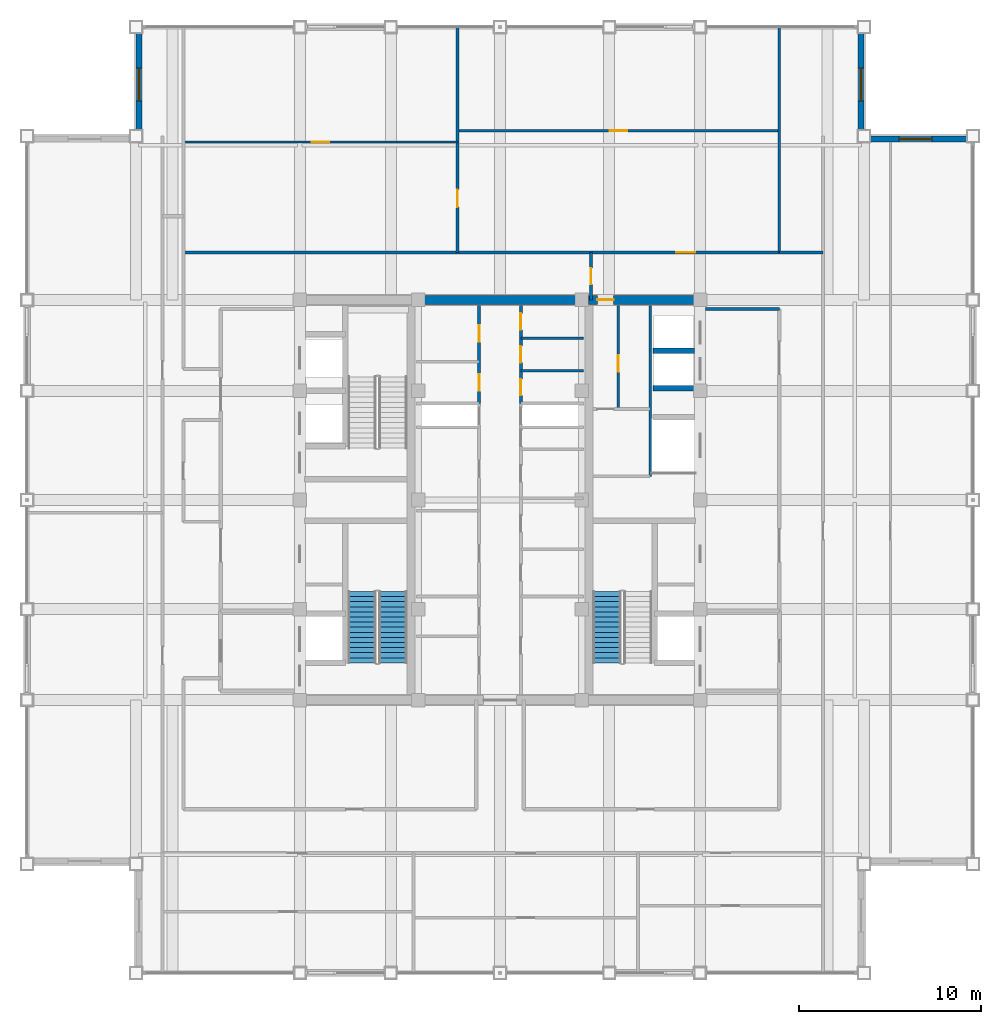
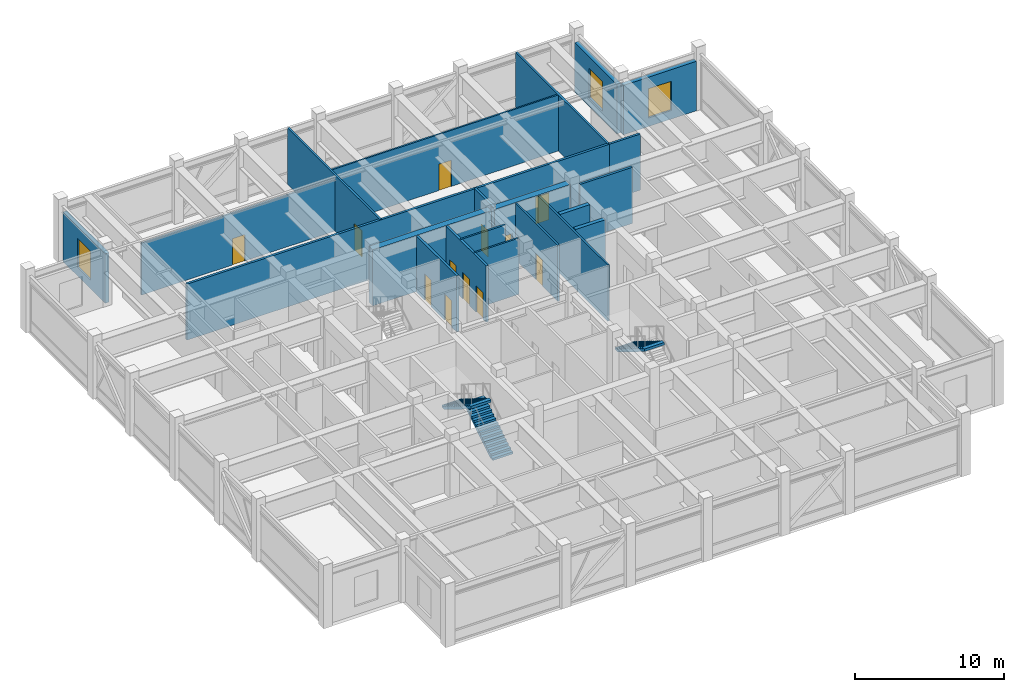
# One storey, part 27 of 29: 21 walls, 12 doors, 3 stair flights, 3 windows, 15 openings, 2 elements without a shape of their own.
"""IFC4 building model written with IfcOpenShell, lengths in metres."""

from ifc_helpers import new_model, si_unit, direction, frame, frame_2d, origin, place, context, subcontext, project, spatial, polyline, rectangle, outline, extrude, source, transform, mapped, material, layer, layer_set, type_object, element, fill, aggregate, save


model = new_model("IFC4")

# Units and contexts
model_context = context("Model", 3, precision=1e-05, world=origin(), true_north=direction((0.0, 1.0)))
body_context = subcontext(model_context, "Body", "Model", "MODEL_VIEW")
ifc_project = project(units=[si_unit("LENGTHUNIT", "METRE"), si_unit("AREAUNIT", "SQUARE_METRE"), si_unit("VOLUMEUNIT", "CUBIC_METRE"), si_unit("PLANEANGLEUNIT", "RADIAN"), si_unit("MASSUNIT", "GRAM", prefix="KILO")], contexts=[model_context])

# Site, building, storey
site_placement = place(None, origin())
site = spatial("IfcSite", under=ifc_project, at=site_placement, CompositionType="ELEMENT")
building_placement = place(site_placement, origin())
building = spatial("IfcBuilding", under=site, at=building_placement, Name="Khorayat Bourse Tower", CompositionType="ELEMENT")
storey_placement = place(building_placement, frame((0.0, 0.0, 370.300048828125)))
storey = spatial("IfcBuildingStorey", under=building, at=storey_placement, Name="L88", CompositionType="ELEMENT", Elevation=370.300048828125)

# Wall
ifc_material_1 = material(Name="Concrete C52/65", Category="concrete")
ifc_layer_1 = layer(ifc_material_1, 0.5)
ifc_layer_set_1 = layer_set([ifc_layer_1], Name="Concrete C52/65")
wall_type_1 = type_object("IfcWallType", Name="WAL-CORE-500", PredefinedType="SHEAR", material=ifc_layer_set_1)
shared_shape_1 = source(origin(), body_context, "Body", "SweptSolid", [
    extrude(rectangle(XDim=9.2001953125, YDim=0.5, at=frame_2d((4.60009765625, 0.0))), origin(), (0.0, 0.0, 1.0), 4.599853515625),
])
wall_1_placement = place(storey_placement, frame((-4.60009765625, 11.0, 0.0), z_axis=(0.0, 0.0, 1.0), x_axis=(1.0, 0.0, 0.0)))
element("IfcWall", 1, at=wall_1_placement, inside=storey, type_object=wall_type_1, Name="L88 Core Shear Wall CORE-N", PredefinedType="SHEAR", context=body_context, shape_type="MappedRepresentation", body=[
    mapped(shared_shape_1, transform((0.0, 0.0, 0.0), scale=1.0)),
])

# Wall, opening, door
shared_shape_2 = source(origin(), body_context, "Body", "SweptSolid", [
    extrude(rectangle(XDim=5.89990234375, YDim=0.5, at=frame_2d((2.949951171875, 0.0))), origin(), (0.0, 0.0, 1.0), 4.599853515625),
])
wall_2_placement = place(storey_placement, frame((4.85009765625, 11.0, 0.0), z_axis=(0.0, 0.0, 1.0), x_axis=(1.0, 0.0, 0.0)))
wall_2 = element("IfcWall", 2, at=wall_2_placement, inside=storey, type_object=wall_type_1, Name="L88 Core Shear Wall PIER-EN", PredefinedType="SHEAR", context=body_context, shape_type="MappedRepresentation", body=[
    mapped(shared_shape_2, transform((0.0, 0.0, 0.0), scale=1.0)),
])
shared_shape_3 = source(origin(), body_context, "Body", "SweptSolid", [
    extrude(rectangle(XDim=0.89990234375, YDim=2.14990234375, at=frame_2d((0.449951171875, 1.074951171875))), frame((0.0, 0.260009765625, 0.0), z_axis=(0.0, -1.0, 0.0), x_axis=(1.0, 0.0, 0.0)), (0.0, 0.0, 1.0), 0.52001953125),
])
opening_1_placement = place(wall_2_placement, frame((0.5, 0.0, 0.0)))
opening_1 = element("IfcOpeningElement", 3, at=opening_1_placement, cuts=wall_2, Name="Opening DI-06", PredefinedType="OPENING", context=body_context, shape_type="MappedRepresentation", body=[
    mapped(shared_shape_3, transform((0.0, 0.0, 0.0), scale=1.0)),
])
ifc_material_2 = material(Name="Moisture-resistant laminate washroom door")
door_type_1 = type_object("IfcDoorType", Name="DR-INT-WC-900", OperationType="NOTDEFINED", PredefinedType="DOOR", material=ifc_material_2)
shared_shape_4 = source(origin(), body_context, "Body", "SweptSolid", [
    extrude(rectangle(XDim=0.89990234375, YDim=2.14990234375, at=frame_2d((0.449951171875, 1.074951171875))), frame((0.0, 0.02490234375, 0.0), z_axis=(0.0, -1.0, 0.0), x_axis=(1.0, 0.0, 0.0)), (0.0, 0.0, 1.0), 0.050048828125),
])
door_1_placement = place(opening_1_placement, origin())
door_1 = element("IfcDoor", 4, at=door_1_placement, inside=storey, type_object=door_type_1, Name="L88 Core Washroom Lobby Door", OperationType="SINGLE_SWING_LEFT", OverallHeight=2.14990234375, OverallWidth=0.89990234375, PredefinedType="DOOR", context=body_context, shape_type="MappedRepresentation", body=[
    mapped(shared_shape_4, transform((0.0, 0.0, 0.0), scale=1.0)),
])
fill(opening_1, door_1)

# Wall, opening, window
ifc_material_3 = material(Name="Precast concrete C45/55", Category="concrete")
ifc_layer_2 = layer(ifc_material_3, 0.320068359375)
ifc_layer_set_2 = layer_set([ifc_layer_2], Name="Precast concrete C45/55")
wall_type_2 = type_object("IfcWallType", Name="WAL-EXT-STONE-320", PredefinedType="STANDARD", material=ifc_layer_set_2)
shared_shape_5 = source(origin(), body_context, "Body", "SweptSolid", [
    extrude(rectangle(XDim=5.679931640625, YDim=0.320068359375, at=frame_2d((2.83984375, 0.0))), origin(), (0.0, 0.0, 1.0), 4.051025390625),
])
wall_3_placement = place(storey_placement, frame((20.0, 19.840087890625, 0.0), z_axis=(0.0, 0.0, 1.0), x_axis=(1.0, 0.0, 0.0)))
wall_3 = element("IfcWall", 5, at=wall_3_placement, inside=storey, type_object=wall_type_2, Name="L88 Re-Entrant Notch Limestone Wall NE-H", PredefinedType="STANDARD", context=body_context, shape_type="MappedRepresentation", body=[
    mapped(shared_shape_5, transform((0.0, 0.0, 0.0), scale=1.0)),
])
shared_shape_6 = source(origin(), body_context, "Body", "SweptSolid", [
    extrude(rectangle(XDim=1.800048828125, YDim=2.39990234375, at=frame_2d((0.89990234375, 1.199951171875))), frame((0.0, 0.169921875, 0.0), z_axis=(0.0, -1.0, 0.0), x_axis=(1.0, 0.0, 0.0)), (0.0, 0.0, 1.0), 0.340087890625),
])
opening_2_placement = place(wall_3_placement, frame((1.93994140625, 0.0, 0.699951171875)))
opening_2 = element("IfcOpeningElement", 6, at=opening_2_placement, cuts=wall_3, Name="Opening WN-04", PredefinedType="OPENING", context=body_context, shape_type="MappedRepresentation", body=[
    mapped(shared_shape_6, transform((0.0, 0.0, 0.0), scale=1.0)),
])
ifc_material_4 = material(Name="Low-E acoustic laminated double glazing", Category="glass")
window_type = type_object("IfcWindowType", Name="WIN-NOTCH-1800x2400", PartitioningType="SINGLE_PANEL", PredefinedType="WINDOW", material=ifc_material_4)
shared_shape_7 = source(origin(), body_context, "Body", "SweptSolid", [
    extrude(rectangle(XDim=1.800048828125, YDim=2.39990234375, at=frame_2d((0.89990234375, 1.199951171875))), frame((0.0, 0.030029296875, 0.0), z_axis=(0.0, -1.0, 0.0), x_axis=(1.0, 0.0, 0.0)), (0.0, 0.0, 1.0), 0.06005859375),
])
window_1_placement = place(opening_2_placement, origin())
window_1 = element("IfcWindow", 7, at=window_1_placement, inside=storey, type_object=window_type, Name="L88 Facade Window 1", OverallHeight=2.39990234375, OverallWidth=1.800048828125, PartitioningType="SINGLE_PANEL", PredefinedType="WINDOW", context=body_context, shape_type="MappedRepresentation", body=[
    mapped(shared_shape_7, transform((0.0, 0.0, 0.0), scale=1.0)),
])
fill(opening_2, window_1)

wall_4_placement = place(storey_placement, frame((19.840087890625, 20.0, 0.0), z_axis=(0.0, 0.0, 1.0), x_axis=(0.0, 1.0, 0.0)))
wall_4 = element("IfcWall", 8, at=wall_4_placement, inside=storey, type_object=wall_type_2, Name="L88 Re-Entrant Notch Limestone Wall NE-V", PredefinedType="STANDARD", context=body_context, shape_type="MappedRepresentation", body=[
    mapped(shared_shape_5, transform((0.0, 0.0, 0.0), scale=1.0)),
])
opening_3_placement = place(wall_4_placement, frame((1.93994140625, 0.0, 0.699951171875)))
opening_3 = element("IfcOpeningElement", 9, at=opening_3_placement, cuts=wall_4, Name="Opening WN-04", PredefinedType="OPENING", context=body_context, shape_type="MappedRepresentation", body=[
    mapped(shared_shape_6, transform((0.0, 0.0, 0.0), scale=1.0)),
])
window_2_placement = place(opening_3_placement, origin())
window_2 = element("IfcWindow", 10, at=window_2_placement, inside=storey, type_object=window_type, Name="L88 Facade Window 1", OverallHeight=2.39990234375, OverallWidth=1.800048828125, PartitioningType="SINGLE_PANEL", PredefinedType="WINDOW", context=body_context, shape_type="MappedRepresentation", body=[
    mapped(shared_shape_7, transform((0.0, 0.0, 0.0), scale=1.0)),
])
fill(opening_3, window_2)

wall_5_placement = place(storey_placement, frame((-19.840087890625, 20.0, 0.0), z_axis=(0.0, 0.0, 1.0), x_axis=(0.0, 1.0, 0.0)))
wall_5 = element("IfcWall", 11, at=wall_5_placement, inside=storey, type_object=wall_type_2, Name="L88 Re-Entrant Notch Limestone Wall NW-V", PredefinedType="STANDARD", context=body_context, shape_type="MappedRepresentation", body=[
    mapped(shared_shape_5, transform((0.0, 0.0, 0.0), scale=1.0)),
])
opening_4_placement = place(wall_5_placement, frame((1.93994140625, 0.0, 0.699951171875)))
opening_4 = element("IfcOpeningElement", 12, at=opening_4_placement, cuts=wall_5, Name="Opening WN-04", PredefinedType="OPENING", context=body_context, shape_type="MappedRepresentation", body=[
    mapped(shared_shape_6, transform((0.0, 0.0, 0.0), scale=1.0)),
])
window_3_placement = place(opening_4_placement, origin())
window_3 = element("IfcWindow", 13, at=window_3_placement, inside=storey, type_object=window_type, Name="L88 Facade Window 1", OverallHeight=2.39990234375, OverallWidth=1.800048828125, PartitioningType="SINGLE_PANEL", PredefinedType="WINDOW", context=body_context, shape_type="MappedRepresentation", body=[
    mapped(shared_shape_7, transform((0.0, 0.0, 0.0), scale=1.0)),
])
fill(opening_4, window_3)

# Walls
ifc_material_5 = material(Name="Concrete C50/60", Category="concrete")
ifc_layer_3 = layer(ifc_material_5, 0.300048828125)
ifc_layer_set_3 = layer_set([ifc_layer_3], Name="Concrete C50/60")
wall_type_3 = type_object("IfcWallType", Name="WAL-SHAFT-300", PredefinedType="SHEAR", material=ifc_layer_set_3)
shared_shape_8 = source(origin(), body_context, "Body", "SweptSolid", [
    extrude(rectangle(XDim=2.300048828125, YDim=0.300048828125, at=frame_2d((1.14990234375, 0.0))), origin(), (0.0, 0.0, 1.0), 4.599853515625),
])
for number, where, z_axis, x_axis, name in (
    (14, (8.39990234375, 6.14990234375, 0.0), (0.0, 0.0, 1.0), (1.0, 0.0, 0.0), "L88 Partition WAL-L88-EPIER-H3S"),
    (15, (8.39990234375, 8.199951171875, 0.0), (0.0, 0.0, 1.0), (1.0, 0.0, 0.0), "L88 Partition WAL-L88-EPIER-H34"),
):
    element("IfcWall", number, at=place(storey_placement, frame(where, z_axis=z_axis, x_axis=x_axis)), inside=storey, type_object=wall_type_3, Name=name, PredefinedType="SHEAR", context=body_context, shape_type="MappedRepresentation", body=[
        mapped(shared_shape_8, transform((0.0, 0.0, 0.0), scale=1.0)),
    ])
ifc_material_6 = material(Name="Moisture-resistant masonry partition", Category="masonry")
ifc_layer_4 = layer(ifc_material_6, 0.139892578125)
ifc_layer_set_4 = layer_set([ifc_layer_4], Name="Moisture-resistant masonry partition")
wall_type_4 = type_object("IfcWallType", Name="WAL-PART-WET-140", PredefinedType="PARTITIONING", material=ifc_layer_set_4)
shared_shape_9 = source(origin(), body_context, "Body", "SweptSolid", [
    extrude(rectangle(XDim=9.39990234375, YDim=0.139892578125, at=frame_2d((4.699951171875, 0.0))), origin(), (0.0, 0.0, 1.0), 4.599853515625),
])
wall_6_placement = place(storey_placement, frame((8.25, 1.300048828125, 0.0), z_axis=(0.0, 0.0, 1.0), x_axis=(0.0, 1.0, 0.0)))
element("IfcWall", 16, at=wall_6_placement, inside=storey, type_object=wall_type_4, Name="L88 Partition WAL-L88-ECORE-E", PredefinedType="PARTITIONING", context=body_context, shape_type="MappedRepresentation", body=[
    mapped(shared_shape_9, transform((0.0, 0.0, 0.0), scale=1.0)),
])
ifc_material_7 = material(Name="Gypsum plasterboard acoustic stud wall")
ifc_layer_5 = layer(ifc_material_7, 0.179931640625)
ifc_layer_set_5 = layer_set([ifc_layer_5], Name="Gypsum plasterboard acoustic stud wall")
wall_type_5 = type_object("IfcWallType", Name="WAL-PART-CORR-180", PredefinedType="PARTITIONING", material=ifc_layer_set_5)
shared_shape_10 = source(origin(), body_context, "Body", "SweptSolid", [
    extrude(rectangle(XDim=4.050048828125, YDim=0.179931640625, at=frame_2d((2.02490234375, 0.0))), origin(), (0.0, 0.0, 1.0), 4.599853515625),
])
wall_7_placement = place(storey_placement, frame((11.300048828125, 10.5, 0.0), z_axis=(0.0, 0.0, 1.0), x_axis=(1.0, 0.0, 0.0)))
element("IfcWall", 17, at=wall_7_placement, inside=storey, type_object=wall_type_5, Name="L88 Partition WAL-L88-ELOB-N", PredefinedType="PARTITIONING", context=body_context, shape_type="MappedRepresentation", body=[
    mapped(shared_shape_10, transform((0.0, 0.0, 0.0), scale=1.0)),
])

# Wall, openings, doors
shared_shape_11 = source(origin(), body_context, "Body", "SweptSolid", [
    extrude(rectangle(XDim=5.39990234375, YDim=0.179931640625, at=frame_2d((2.699951171875, 0.0))), origin(), (0.0, 0.0, 1.0), 4.599853515625),
])
wall_8_placement = place(storey_placement, frame((-1.14990234375, 5.300048828125, 0.0), z_axis=(0.0, 0.0, 1.0), x_axis=(0.0, 1.0, 0.0)))
wall_8 = element("IfcWall", 18, at=wall_8_placement, inside=storey, type_object=wall_type_5, Name="L88 Partition WAL-L88-FB2W-L", PredefinedType="PARTITIONING", context=body_context, shape_type="MappedRepresentation", body=[
    mapped(shared_shape_11, transform((0.0, 0.0, 0.0), scale=1.0)),
])
shared_shape_12 = source(origin(), body_context, "Body", "SweptSolid", [
    extrude(rectangle(XDim=0.89990234375, YDim=2.14990234375, at=frame_2d((0.449951171875, 1.074951171875))), frame((0.0, 0.099853515625, 0.0), z_axis=(0.0, -1.0, 0.0), x_axis=(1.0, 0.0, 0.0)), (0.0, 0.0, 1.0), 0.199951171875),
])
opening_5_placement = place(wall_8_placement, frame((0.699951171875, 0.0, 0.0)))
opening_5 = element("IfcOpeningElement", 19, at=opening_5_placement, cuts=wall_8, Name="Opening DI-06", PredefinedType="OPENING", context=body_context, shape_type="MappedRepresentation", body=[
    mapped(shared_shape_12, transform((0.0, 0.0, 0.0), scale=1.0)),
])
opening_6_placement = place(wall_8_placement, frame((3.39990234375, 0.0, 0.0)))
opening_6 = element("IfcOpeningElement", 20, at=opening_6_placement, cuts=wall_8, Name="Opening DI-06", PredefinedType="OPENING", context=body_context, shape_type="MappedRepresentation", body=[
    mapped(shared_shape_12, transform((0.0, 0.0, 0.0), scale=1.0)),
])
door_2_placement = place(opening_5_placement, origin())
door_2 = element("IfcDoor", 21, at=door_2_placement, inside=storey, type_object=door_type_1, Name="L88 Board Archive Store Door", OperationType="SINGLE_SWING_RIGHT", OverallHeight=2.14990234375, OverallWidth=0.89990234375, PredefinedType="DOOR", context=body_context, shape_type="MappedRepresentation", body=[
    mapped(shared_shape_4, transform((0.0, 0.0, 0.0), scale=1.0)),
])
fill(opening_5, door_2)
door_3_placement = place(opening_6_placement, origin())
door_3 = element("IfcDoor", 22, at=door_3_placement, inside=storey, type_object=door_type_1, Name="L88 Smoke Control Plant Room Door", OperationType="SINGLE_SWING_LEFT", OverallHeight=2.14990234375, OverallWidth=0.89990234375, PredefinedType="DOOR", context=body_context, shape_type="MappedRepresentation", body=[
    mapped(shared_shape_4, transform((0.0, 0.0, 0.0), scale=1.0)),
])
fill(opening_6, door_3)

wall_9_placement = place(storey_placement, frame((1.14990234375, 5.300048828125, 0.0), z_axis=(0.0, 0.0, 1.0), x_axis=(0.0, 1.0, 0.0)))
wall_9 = element("IfcWall", 23, at=wall_9_placement, inside=storey, type_object=wall_type_5, Name="L88 Partition WAL-L88-FB2E-L", PredefinedType="PARTITIONING", context=body_context, shape_type="MappedRepresentation", body=[
    mapped(shared_shape_11, transform((0.0, 0.0, 0.0), scale=1.0)),
])
opening_7_placement = place(wall_9_placement, frame((0.449951171875, 0.0, 0.0)))
opening_7 = element("IfcOpeningElement", 24, at=opening_7_placement, cuts=wall_9, Name="Opening DI-06", PredefinedType="OPENING", context=body_context, shape_type="MappedRepresentation", body=[
    mapped(shared_shape_12, transform((0.0, 0.0, 0.0), scale=1.0)),
])
opening_8_placement = place(wall_9_placement, frame((2.25, 0.0, 0.0)))
opening_8 = element("IfcOpeningElement", 25, at=opening_8_placement, cuts=wall_9, Name="Opening DI-06", PredefinedType="OPENING", context=body_context, shape_type="MappedRepresentation", body=[
    mapped(shared_shape_12, transform((0.0, 0.0, 0.0), scale=1.0)),
])
opening_9_placement = place(wall_9_placement, frame((4.050048828125, 0.0, 0.0)))
opening_9 = element("IfcOpeningElement", 26, at=opening_9_placement, cuts=wall_9, Name="Opening DI-06", PredefinedType="OPENING", context=body_context, shape_type="MappedRepresentation", body=[
    mapped(shared_shape_12, transform((0.0, 0.0, 0.0), scale=1.0)),
])
door_4_placement = place(opening_7_placement, origin())
door_4 = element("IfcDoor", 27, at=door_4_placement, inside=storey, type_object=door_type_1, Name="L88 Linen Store Door", OperationType="SINGLE_SWING_RIGHT", OverallHeight=2.14990234375, OverallWidth=0.89990234375, PredefinedType="DOOR", context=body_context, shape_type="MappedRepresentation", body=[
    mapped(shared_shape_4, transform((0.0, 0.0, 0.0), scale=1.0)),
])
fill(opening_7, door_4)
door_5_placement = place(opening_8_placement, origin())
door_5 = element("IfcDoor", 28, at=door_5_placement, inside=storey, type_object=door_type_1, Name="L88 Sub-Meter Room Door", OperationType="SINGLE_SWING_LEFT", OverallHeight=2.14990234375, OverallWidth=0.89990234375, PredefinedType="DOOR", context=body_context, shape_type="MappedRepresentation", body=[
    mapped(shared_shape_4, transform((0.0, 0.0, 0.0), scale=1.0)),
])
fill(opening_8, door_5)
door_6_placement = place(opening_9_placement, origin())
door_6 = element("IfcDoor", 29, at=door_6_placement, inside=storey, type_object=door_type_1, Name="L88 Records Store Door", OperationType="SINGLE_SWING_RIGHT", OverallHeight=2.14990234375, OverallWidth=0.89990234375, PredefinedType="DOOR", context=body_context, shape_type="MappedRepresentation", body=[
    mapped(shared_shape_4, transform((0.0, 0.0, 0.0), scale=1.0)),
])
fill(opening_9, door_6)

# Walls
shared_shape_13 = source(origin(), body_context, "Body", "SweptSolid", [
    extrude(rectangle(XDim=3.4501953125, YDim=0.139892578125, at=frame_2d((1.72509765625, 0.0))), origin(), (0.0, 0.0, 1.0), 4.599853515625),
])
for number, where, z_axis, x_axis, name in (
    (30, (1.14990234375, 7.10009765625, 0.0), (0.0, 0.0, 1.0), (1.0, 0.0, 0.0), "L88 Partition WAL-L88-FB2E-D1"),
    (31, (1.14990234375, 8.89990234375, 0.0), (0.0, 0.0, 1.0), (1.0, 0.0, 0.0), "L88 Partition WAL-L88-FB2E-D2"),
):
    element("IfcWall", number, at=place(storey_placement, frame(where, z_axis=z_axis, x_axis=x_axis)), inside=storey, type_object=wall_type_4, Name=name, PredefinedType="PARTITIONING", context=body_context, shape_type="MappedRepresentation", body=[
        mapped(shared_shape_13, transform((0.0, 0.0, 0.0), scale=1.0)),
    ])

# Wall, opening, door
shared_shape_14 = source(origin(), body_context, "Body", "SweptSolid", [
    extrude(rectangle(XDim=2.60009765625, YDim=0.179931640625, at=frame_2d((1.300048828125, 0.0))), origin(), (0.0, 0.0, 1.0), 4.599853515625),
])
wall_10_placement = place(storey_placement, frame((5.0, 11.0, 0.0), z_axis=(0.0, 0.0, 1.0), x_axis=(0.0, 1.0, 0.0)))
wall_10 = element("IfcWall", 32, at=wall_10_placement, inside=storey, type_object=wall_type_5, Name="L88 Partition WAL-L88-CORRNE-W", PredefinedType="PARTITIONING", context=body_context, shape_type="MappedRepresentation", body=[
    mapped(shared_shape_14, transform((0.0, 0.0, 0.0), scale=1.0)),
])
opening_10_placement = place(wall_10_placement, frame((0.85009765625, 0.0, 0.0)))
opening_10 = element("IfcOpeningElement", 33, at=opening_10_placement, cuts=wall_10, Name="Opening DI-06", PredefinedType="OPENING", context=body_context, shape_type="MappedRepresentation", body=[
    mapped(shared_shape_12, transform((0.0, 0.0, 0.0), scale=1.0)),
])
door_7_placement = place(opening_10_placement, origin())
door_7 = element("IfcDoor", 34, at=door_7_placement, inside=storey, type_object=door_type_1, Name="L88 North Core Pantry Door", OperationType="SINGLE_SWING_LEFT", OverallHeight=2.14990234375, OverallWidth=0.89990234375, PredefinedType="DOOR", context=body_context, shape_type="MappedRepresentation", body=[
    mapped(shared_shape_4, transform((0.0, 0.0, 0.0), scale=1.0)),
])
fill(opening_10, door_7)

shared_shape_15 = source(origin(), body_context, "Body", "SweptSolid", [
    extrude(rectangle(XDim=5.699951171875, YDim=0.139892578125, at=frame_2d((2.85009765625, 0.0))), origin(), (0.0, 0.0, 1.0), 4.599853515625),
])
wall_11_placement = place(storey_placement, frame((6.5, 5.0, 0.0), z_axis=(0.0, 0.0, 1.0), x_axis=(0.0, 1.0, 0.0)))
wall_11 = element("IfcWall", 35, at=wall_11_placement, inside=storey, type_object=wall_type_4, Name="L88 Partition WAL-L88-ECW-MID", PredefinedType="PARTITIONING", context=body_context, shape_type="MappedRepresentation", body=[
    mapped(shared_shape_15, transform((0.0, 0.0, 0.0), scale=1.0)),
])
shared_shape_16 = source(origin(), body_context, "Body", "SweptSolid", [
    extrude(rectangle(XDim=0.89990234375, YDim=2.14990234375, at=frame_2d((0.449951171875, 1.074951171875))), frame((0.0, 0.079833984375, 0.0), z_axis=(0.0, -1.0, 0.0), x_axis=(1.0, 0.0, 0.0)), (0.0, 0.0, 1.0), 0.159912109375),
])
opening_11_placement = place(wall_11_placement, frame((2.050048828125, 0.0, 0.0)))
opening_11 = element("IfcOpeningElement", 36, at=opening_11_placement, cuts=wall_11, Name="Opening DI-06", PredefinedType="OPENING", context=body_context, shape_type="MappedRepresentation", body=[
    mapped(shared_shape_16, transform((0.0, 0.0, 0.0), scale=1.0)),
])
door_8_placement = place(opening_11_placement, origin())
door_8 = element("IfcDoor", 37, at=door_8_placement, inside=storey, type_object=door_type_1, Name="L88 Accessible WC Door", OperationType="SINGLE_SWING_RIGHT", OverallHeight=2.14990234375, OverallWidth=0.89990234375, PredefinedType="DOOR", context=body_context, shape_type="MappedRepresentation", body=[
    mapped(shared_shape_4, transform((0.0, 0.0, 0.0), scale=1.0)),
])
fill(opening_11, door_8)

# Wall
shared_shape_17 = source(origin(), body_context, "Body", "SweptSolid", [
    extrude(rectangle(XDim=2.39990234375, YDim=0.179931640625, at=frame_2d((1.199951171875, 0.0))), origin(), (0.0, 0.0, 1.0), 4.599853515625),
])
wall_12_placement = place(storey_placement, frame((15.35009765625, 13.60009765625, 0.0), z_axis=(0.0, 0.0, 1.0), x_axis=(1.0, 0.0, 0.0)))
element("IfcWall", 38, at=wall_12_placement, inside=storey, type_object=wall_type_5, Name="L88 Partition WAL-L88-GALE-N", PredefinedType="PARTITIONING", context=body_context, shape_type="MappedRepresentation", body=[
    mapped(shared_shape_17, transform((0.0, 0.0, 0.0), scale=1.0)),
])

# Wall, opening, door
ifc_material_8 = material(Name="Gypsum plasterboard partition")
ifc_layer_6 = layer(ifc_material_8, 0.125)
ifc_layer_set_6 = layer_set([ifc_layer_6], Name="Gypsum plasterboard partition")
wall_type_6 = type_object("IfcWallType", Name="WAL-PART-ROOM-125", PredefinedType="PARTITIONING", material=ifc_layer_set_6)
shared_shape_18 = source(origin(), body_context, "Body", "SweptSolid", [
    extrude(rectangle(XDim=15.06494140625, YDim=0.125, at=frame_2d((7.532470703125, 0.0))), origin(), (0.0, 0.0, 1.0), 4.2529296875),
])
wall_13_placement = place(storey_placement, frame((-17.39990234375, 19.676025390625, 0.0), z_axis=(0.0, 0.0, 1.0), x_axis=(1.0, 0.0, 0.0)))
wall_13 = element("IfcWall", 39, at=wall_13_placement, inside=storey, type_object=wall_type_6, Name="L88 Partition WAL-L88-NDP-1", PredefinedType="PARTITIONING", context=body_context, shape_type="MappedRepresentation", body=[
    mapped(shared_shape_18, transform((0.0, 0.0, 0.0), scale=1.0)),
])
shared_shape_19 = source(origin(), body_context, "Body", "SweptSolid", [
    extrude(rectangle(XDim=0.949951171875, YDim=2.14990234375, at=frame_2d((0.47509765625, 1.074951171875))), frame((0.0, 0.072509765625, 0.0), z_axis=(0.0, -1.0, 0.0), x_axis=(1.0, 0.0, 0.0)), (0.0, 0.0, 1.0), 0.14501953125),
])
opening_12_placement = place(wall_13_placement, frame((7.0576171875, 0.0, 0.0)))
opening_12 = element("IfcOpeningElement", 40, at=opening_12_placement, cuts=wall_13, Name="Opening DI-05", PredefinedType="OPENING", context=body_context, shape_type="MappedRepresentation", body=[
    mapped(shared_shape_19, transform((0.0, 0.0, 0.0), scale=1.0)),
])
ifc_material_9 = material(Name="Acoustic oak veneer office door")
door_type_2 = type_object("IfcDoorType", Name="DR-INT-OFFICE-950", OperationType="NOTDEFINED", PredefinedType="DOOR", material=ifc_material_9)
shared_shape_20 = source(origin(), body_context, "Body", "SweptSolid", [
    extrude(rectangle(XDim=0.949951171875, YDim=2.14990234375, at=frame_2d((0.47509765625, 1.074951171875))), frame((0.0, 0.02490234375, 0.0), z_axis=(0.0, -1.0, 0.0), x_axis=(1.0, 0.0, 0.0)), (0.0, 0.0, 1.0), 0.050048828125),
])
door_9_placement = place(opening_12_placement, origin())
door_9 = element("IfcDoor", 41, at=door_9_placement, inside=storey, type_object=door_type_2, Name="L88 Staff Tea Pantry N1B Door", OperationType="SINGLE_SWING_RIGHT", OverallHeight=2.14990234375, OverallWidth=0.949951171875, PredefinedType="DOOR", context=body_context, shape_type="MappedRepresentation", body=[
    mapped(shared_shape_20, transform((0.0, 0.0, 0.0), scale=1.0)),
])
fill(opening_12, door_9)

ifc_material_10 = material(Name="Gypsum plasterboard twin-frame partition")
ifc_layer_7 = layer(ifc_material_10, 0.14990234375)
ifc_layer_set_7 = layer_set([ifc_layer_7], Name="Gypsum plasterboard twin-frame partition")
wall_type_7 = type_object("IfcWallType", Name="WAL-PART-SUITE-150", PredefinedType="PARTITIONING", material=ifc_layer_set_7)
shared_shape_21 = source(origin(), body_context, "Body", "SweptSolid", [
    extrude(rectangle(XDim=12.39990234375, YDim=0.14990234375, at=frame_2d((6.199951171875, 0.0))), origin(), (0.0, 0.0, 1.0), 4.599853515625),
])
wall_14_placement = place(storey_placement, frame((-2.3349609375, 13.60009765625, 0.0), z_axis=(0.0, 0.0, 1.0), x_axis=(0.0, 1.0, 0.0)))
wall_14 = element("IfcWall", 42, at=wall_14_placement, inside=storey, type_object=wall_type_7, Name="L88 Partition WAL-L88-NDV-1", PredefinedType="PARTITIONING", context=body_context, shape_type="MappedRepresentation", body=[
    mapped(shared_shape_21, transform((0.0, 0.0, 0.0), scale=1.0)),
])
shared_shape_22 = source(origin(), body_context, "Body", "SweptSolid", [
    extrude(rectangle(XDim=0.949951171875, YDim=2.14990234375, at=frame_2d((0.47509765625, 1.074951171875))), frame((0.0, 0.0849609375, 0.0), z_axis=(0.0, -1.0, 0.0), x_axis=(1.0, 0.0, 0.0)), (0.0, 0.0, 1.0), 0.169921875),
])
opening_13_placement = place(wall_14_placement, frame((2.5009765625, 0.0, 0.0)))
opening_13 = element("IfcOpeningElement", 43, at=opening_13_placement, cuts=wall_14, Name="Opening DI-05", PredefinedType="OPENING", context=body_context, shape_type="MappedRepresentation", body=[
    mapped(shared_shape_22, transform((0.0, 0.0, 0.0), scale=1.0)),
])
door_10_placement = place(opening_13_placement, origin())
door_10 = element("IfcDoor", 44, at=door_10_placement, inside=storey, type_object=door_type_2, Name="L88 N Suite Link 1", OperationType="SINGLE_SWING_RIGHT", OverallHeight=2.14990234375, OverallWidth=0.949951171875, PredefinedType="DOOR", context=body_context, shape_type="MappedRepresentation", body=[
    mapped(shared_shape_20, transform((0.0, 0.0, 0.0), scale=1.0)),
])
fill(opening_13, door_10)

# Wall
wall_15_placement = place(storey_placement, frame((15.35009765625, 13.60009765625, 0.0), z_axis=(0.0, 0.0, 1.0), x_axis=(0.0, 1.0, 0.0)))
element("IfcWall", 45, at=wall_15_placement, inside=storey, type_object=wall_type_7, Name="L88 Partition WAL-L88-NCE-END", PredefinedType="PARTITIONING", context=body_context, shape_type="MappedRepresentation", body=[
    mapped(shared_shape_21, transform((0.0, 0.0, 0.0), scale=1.0)),
])

# Wall, opening, door
shared_shape_23 = source(origin(), body_context, "Body", "SweptSolid", [
    extrude(rectangle(XDim=17.68505859375, YDim=0.125, at=frame_2d((8.842529296875, 0.0))), origin(), (0.0, 0.0, 1.0), 4.599853515625),
])
wall_16_placement = place(storey_placement, frame((-2.3349609375, 20.2958984375, 0.0), z_axis=(0.0, 0.0, 1.0), x_axis=(1.0, 0.0, 0.0)))
wall_16 = element("IfcWall", 46, at=wall_16_placement, inside=storey, type_object=wall_type_6, Name="L88 Partition WAL-L88-NDP-2", PredefinedType="PARTITIONING", context=body_context, shape_type="MappedRepresentation", body=[
    mapped(shared_shape_23, transform((0.0, 0.0, 0.0), scale=1.0)),
])
opening_14_placement = place(wall_16_placement, frame((8.367431640625, 0.0, 0.0)))
opening_14 = element("IfcOpeningElement", 47, at=opening_14_placement, cuts=wall_16, Name="Opening DI-05", PredefinedType="OPENING", context=body_context, shape_type="MappedRepresentation", body=[
    mapped(shared_shape_19, transform((0.0, 0.0, 0.0), scale=1.0)),
])
door_11_placement = place(opening_14_placement, origin())
door_11 = element("IfcDoor", 48, at=door_11_placement, inside=storey, type_object=door_type_2, Name="L88 Market Reference Library N2B Door", OperationType="SINGLE_SWING_LEFT", OverallHeight=2.14990234375, OverallWidth=0.949951171875, PredefinedType="DOOR", context=body_context, shape_type="MappedRepresentation", body=[
    mapped(shared_shape_20, transform((0.0, 0.0, 0.0), scale=1.0)),
])
fill(opening_14, door_11)

shared_shape_24 = source(origin(), body_context, "Body", "SweptSolid", [
    extrude(rectangle(XDim=32.75, YDim=0.179931640625, at=frame_2d((16.375, 0.0))), origin(), (0.0, 0.0, 1.0), 4.599853515625),
])
wall_17_placement = place(storey_placement, frame((-17.39990234375, 13.60009765625, 0.0), z_axis=(0.0, 0.0, 1.0), x_axis=(1.0, 0.0, 0.0)))
wall_17 = element("IfcWall", 49, at=wall_17_placement, inside=storey, type_object=wall_type_5, Name="L88 Partition WAL-L88-NCORR", PredefinedType="PARTITIONING", context=body_context, shape_type="MappedRepresentation", body=[
    mapped(shared_shape_24, transform((0.0, 0.0, 0.0), scale=1.0)),
])
shared_shape_25 = source(origin(), body_context, "Body", "SweptSolid", [
    extrude(rectangle(XDim=1.050048828125, YDim=2.199951171875, at=frame_2d((0.52490234375, 1.10009765625))), frame((0.0, 0.099853515625, 0.0), z_axis=(0.0, -1.0, 0.0), x_axis=(1.0, 0.0, 0.0)), (0.0, 0.0, 1.0), 0.199951171875),
])
opening_15_placement = place(wall_17_placement, frame((27.074951171875, 0.0, 0.0)))
opening_15 = element("IfcOpeningElement", 50, at=opening_15_placement, cuts=wall_17, Name="Opening DI-04", PredefinedType="OPENING", context=body_context, shape_type="MappedRepresentation", body=[
    mapped(shared_shape_25, transform((0.0, 0.0, 0.0), scale=1.0)),
])
ifc_material_11 = material(Name="Fire-rated oak veneer suite entrance door")
door_type_3 = type_object("IfcDoorType", Name="DR-INT-SUITE-1050", OperationType="NOTDEFINED", PredefinedType="DOOR", material=ifc_material_11)
shared_shape_26 = source(origin(), body_context, "Body", "SweptSolid", [
    extrude(rectangle(XDim=1.050048828125, YDim=2.199951171875, at=frame_2d((0.52490234375, 1.10009765625))), frame((0.0, 0.02490234375, 0.0), z_axis=(0.0, -1.0, 0.0), x_axis=(1.0, 0.0, 0.0)), (0.0, 0.0, 1.0), 0.050048828125),
])
door_12_placement = place(opening_15_placement, origin())
door_12 = element("IfcDoor", 51, at=door_12_placement, inside=storey, type_object=door_type_3, Name="L88 Clearing Operations Office N2 Door", OperationType="SINGLE_SWING_LEFT", OverallHeight=2.199951171875, OverallWidth=1.050048828125, PredefinedType="DOOR", context=body_context, shape_type="MappedRepresentation", body=[
    mapped(shared_shape_26, transform((0.0, 0.0, 0.0), scale=1.0)),
])
fill(opening_15, door_12)

# Stair, stair flights
ifc_material_12 = material(Name="Concrete C40/50", Category="concrete")
stair_type = type_object("IfcStairType", Name="STR-CORE-1550", PredefinedType="HALF_TURN_STAIR", material=ifc_material_12)
stair_1_placement = place(storey_placement, origin())
stair_1 = element("IfcStair", 52, at=stair_1_placement, inside=storey, type_object=stair_type, Name="L88 Exit Stair ST-1", PredefinedType="HALF_TURN_STAIR")
stair_flight_type = type_object("IfcStairFlightType", Name="FLT-CORE-1550", PredefinedType="STRAIGHT", material=ifc_material_12)
shared_shape_27 = source(origin(), body_context, "Body", "SweptSolid", [
    extrude(outline(polyline([(0.0, 0.0), (0.0, 0.17333984375), (0.280029296875, 0.17333984375), (0.280029296875, 0.3466796875), (0.56005859375, 0.3466796875), (0.56005859375, 0.52001953125), (0.840087890625, 0.52001953125), (0.840087890625, 0.693359375), (1.1201171875, 0.693359375), (1.1201171875, 0.86669921875), (1.39990234375, 0.86669921875), (1.39990234375, 1.0400390625), (1.679931640625, 1.0400390625), (1.679931640625, 1.21337890625), (1.9599609375, 1.21337890625), (1.9599609375, 1.38671875), (2.239990234375, 1.38671875), (2.239990234375, 1.56005859375), (2.52001953125, 1.56005859375), (2.52001953125, 1.7333984375), (2.800048828125, 1.7333984375), (2.800048828125, 1.90673828125), (3.080078125, 1.90673828125), (3.080078125, 2.080078125), (3.360107421875, 2.080078125), (3.360107421875, 2.25341796875), (3.639892578125, 2.25341796875), (3.639892578125, 2.4267578125), (3.919921875, 2.4267578125), (3.919921875, 2.60009765625), (3.919921875, 2.215087890625), (0.341796875, 0.0), (0.0, 0.0)])), frame((0.0, 0.77490234375, 0.0), z_axis=(0.0, -1.0, 0.0), x_axis=(1.0, 0.0, 0.0)), (0.0, 0.0, 1.0), 1.550048828125),
])
stair_flight_1_placement = place(storey_placement, frame((-5.875, -8.949951171875, 0.0), z_axis=(0.0, 0.0, 1.0), x_axis=(0.0, 1.0, 0.0)))
stair_flight_1 = element("IfcStairFlight", 53, at=stair_flight_1_placement, type_object=stair_flight_type, Name="ST-1 flight 1", NumberOfRisers=15, NumberOfTreads=14, PredefinedType="STRAIGHT", RiserHeight=0.173333333, TreadLength=0.28, context=body_context, shape_type="MappedRepresentation", body=[
    mapped(shared_shape_27, transform((0.0, 0.0, 0.0), scale=1.0)),
])
stair_flight_2_placement = place(storey_placement, frame((-7.574951171875, -5.030029296875, 2.599853515625), z_axis=(0.0, 0.0, 1.0), x_axis=(0.0, -1.0, 0.0)))
stair_flight_2 = element("IfcStairFlight", 54, at=stair_flight_2_placement, type_object=stair_flight_type, Name="ST-1 flight 2", NumberOfRisers=15, NumberOfTreads=14, PredefinedType="STRAIGHT", RiserHeight=0.173333333, TreadLength=0.28, context=body_context, shape_type="MappedRepresentation", body=[
    mapped(shared_shape_27, transform((0.0, 0.0, 0.0), scale=1.0)),
])
aggregate(stair_1, [stair_flight_1, stair_flight_2])

# Stair, stair flight
stair_2_placement = place(storey_placement, origin())
stair_2 = element("IfcStair", 55, at=stair_2_placement, inside=storey, type_object=stair_type, Name="L88 Exit Stair ST-3", PredefinedType="HALF_TURN_STAIR")
stair_flight_3_placement = place(storey_placement, frame((5.875, -5.030029296875, 2.599853515625), z_axis=(0.0, 0.0, 1.0), x_axis=(0.0, -1.0, 0.0)))
stair_flight_3 = element("IfcStairFlight", 56, at=stair_flight_3_placement, type_object=stair_flight_type, Name="ST-3 flight 2", NumberOfRisers=15, NumberOfTreads=14, PredefinedType="STRAIGHT", RiserHeight=0.173333333, TreadLength=0.28, context=body_context, shape_type="MappedRepresentation", body=[
    mapped(shared_shape_27, transform((0.0, 0.0, 0.0), scale=1.0)),
])
aggregate(stair_2, [stair_flight_3])

save(model, "model.ifc")
